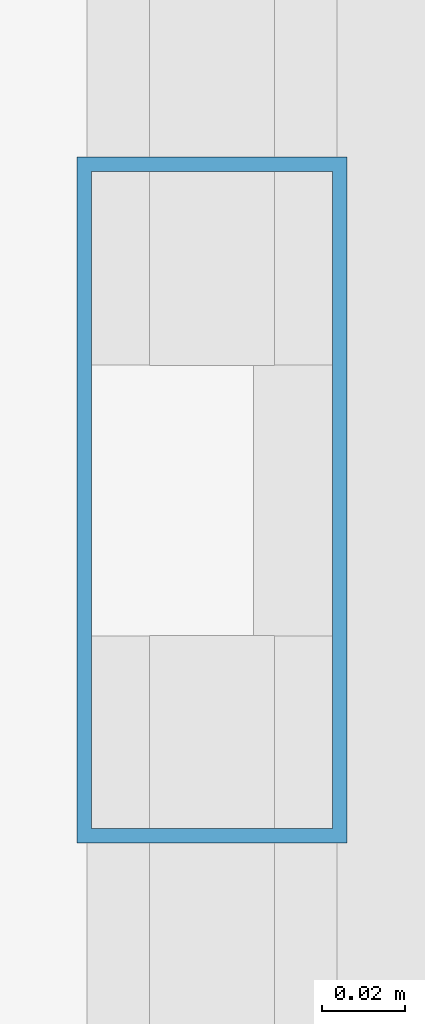
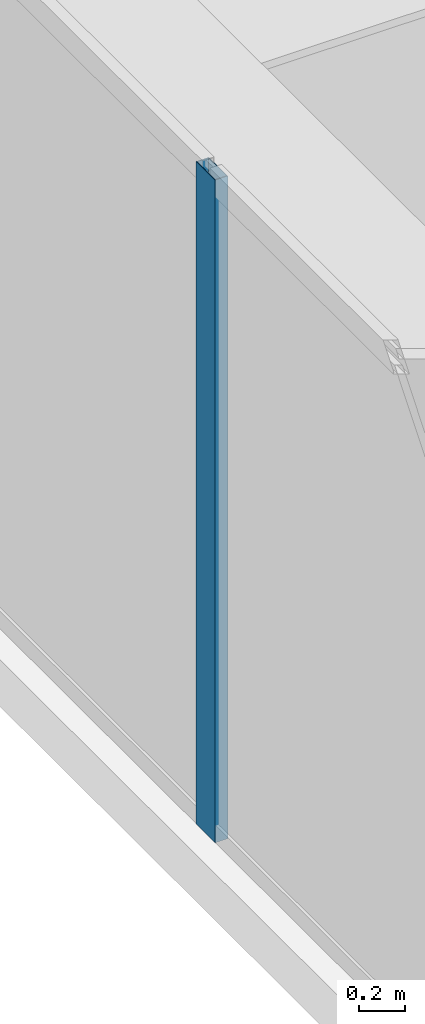
# One storey, part 7 of 26: 1 member, 1 element without a shape of its own.
"""IFC4 building model written with IfcOpenShell, lengths in metres."""

from ifc_helpers import new_model, si_unit, direction, frame, origin, origin_2d, place, context, subcontext, project, spatial, hollow_rectangle, extrude, source, transform, mapped, material, layer, layer_set, material_profile, profile_set, type_object, type_shapes, element, aggregate, save


model = new_model("IFC4")

# Units and contexts
model_context = context("Model", 3, precision=1e-05, world=origin(), true_north=direction((0.0, 1.0)))
body_context = subcontext(model_context, "Body", "Model", "MODEL_VIEW")
ifc_project = project(units=[si_unit("LENGTHUNIT", "METRE"), si_unit("AREAUNIT", "SQUARE_METRE"), si_unit("VOLUMEUNIT", "CUBIC_METRE"), si_unit("PLANEANGLEUNIT", "RADIAN"), si_unit("MASSUNIT", "GRAM", prefix="KILO")], contexts=[model_context])

# Site, building, storey
site_placement = place(None, origin())
site = spatial("IfcSite", under=ifc_project, at=site_placement, CompositionType="ELEMENT")
building_placement = place(site_placement, origin())
building = spatial("IfcBuilding", under=site, at=building_placement, Name="Varnel Quay Broadcast Tower", CompositionType="ELEMENT")
storey_placement = place(building_placement, frame((0.0, 0.0, 196.0)))
storey = spatial("IfcBuildingStorey", under=building, at=storey_placement, Name="L48", CompositionType="ELEMENT", Elevation=196.0)

# Curtain wall, member
ifc_material = material(Name="Anodised Bronze Aluminium 6063-T6", Category="aluminium")
ifc_layer = layer(ifc_material, 0.18994140625, Name="Anodised Bronze Aluminium 6063-T6")
ifc_layer_set = layer_set([ifc_layer], Name="Anodised Bronze Aluminium 6063-T6")
curtain_wall_type = type_object("IfcCurtainWallType", Name="CW_UpperTower", PredefinedType="NOTDEFINED", material=ifc_layer_set)
curtain_wall_placement = place(storey_placement, origin())
curtain_wall = element("IfcCurtainWall", 1, at=curtain_wall_placement, inside=storey, type_object=curtain_wall_type, Name="L48 West Unitised Curtain Wall", PredefinedType="NOTDEFINED")
ifc_material_profile = material_profile(ifc_material, hollow_rectangle(XDim=0.06494140625, YDim=0.1650390625, WallThickness=0.00341796875, at=origin_2d()), Name="ALU65X165X3.5")
ifc_profile_set = profile_set([ifc_material_profile], Name="Anodised Bronze Aluminium 6063-T6")
member_type = type_object("IfcMemberType", Name="Mull_CWS-03", PredefinedType="MULLION", material=ifc_profile_set)
shared_shape = source(origin(), body_context, "Body", "SweptSolid", [
    extrude(hollow_rectangle(XDim=0.06494140625, YDim=0.1650390625, WallThickness=0.00341796875, at=origin_2d()), origin(), (0.0, 0.0, 1.0), 3.550048828125),
])
type_shapes(member_type, [shared_shape])
member_placement = place(storey_placement, frame((7.14990234375, 21.60009765625, 0.0), z_axis=(0.0, 0.0, 1.0), x_axis=(-1.0, 0.0, 0.0)))
member = element("IfcMember", 2, at=member_placement, type_object=member_type, Name="CWS-03 mullion 2", PredefinedType="MULLION", context=body_context, shape_type="MappedRepresentation", body=[
    mapped(shared_shape, transform((0.0, 0.0, 0.0), x_axis=(1.0, 0.0, 0.0), y_axis=(0.0, 1.0, 0.0), z_axis=(0.0, 0.0, 1.0), scale=1.0)),
])
aggregate(curtain_wall, [member])

save(model, "model.ifc")
